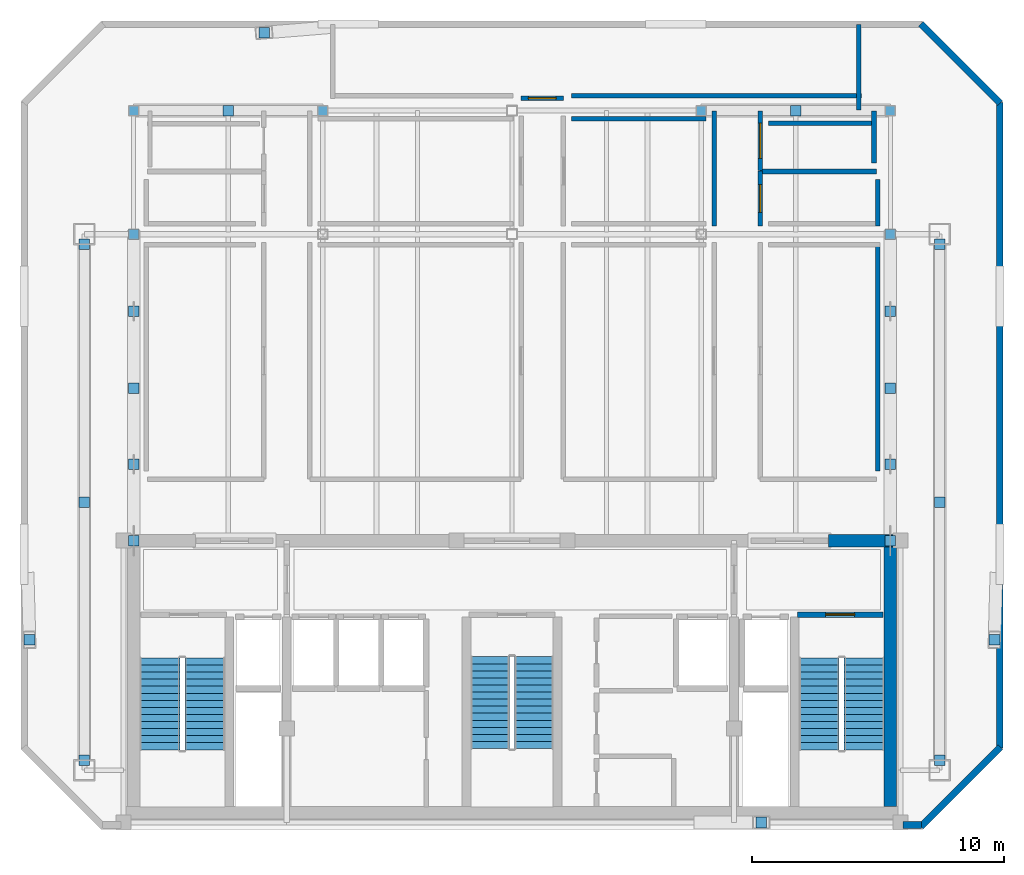
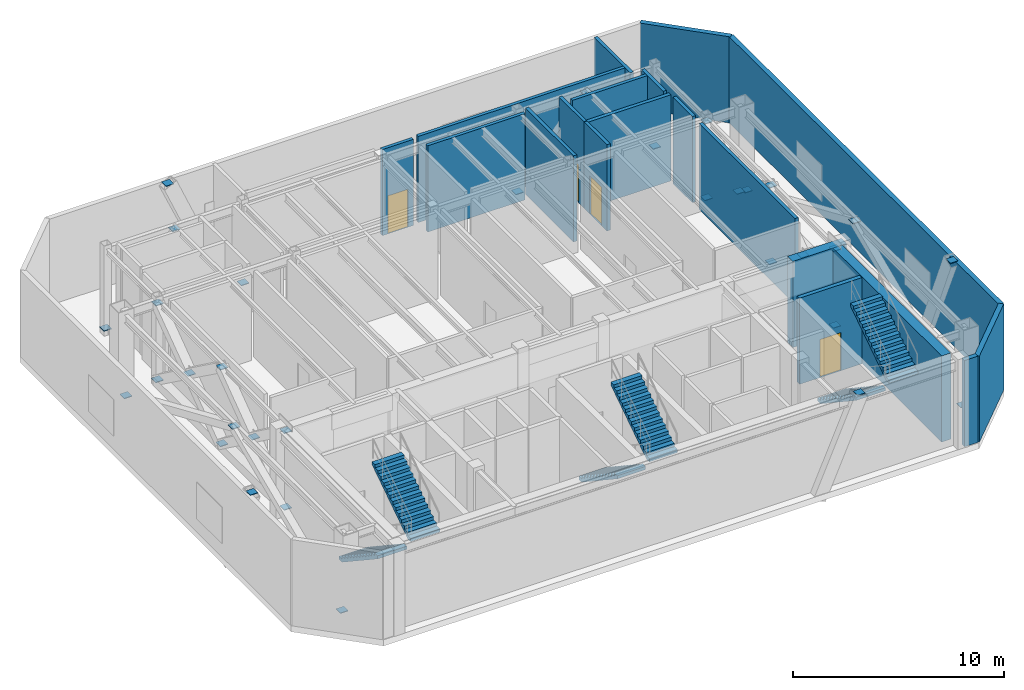
# One storey, part 5 of 7: 32 discrete accessories, 19 walls, 6 stair flights, 4 doors, 4 openings, 3 elements without a shape of their own.
"""IFC4 building model written with IfcOpenShell, lengths in metres."""

from ifc_helpers import new_model, si_unit, direction, frame, frame_2d, origin, origin_2d, place, context, subcontext, project, spatial, polyline, rectangle, outline, extrude, material, layer, layer_set, type_object, element, fill, aggregate, save


model = new_model("IFC4")

# Units and contexts
model_context = context("Model", 3, precision=1e-05, world=origin(), true_north=direction((0.0, 1.0)))
body_context = subcontext(model_context, "Body", "Model", "MODEL_VIEW")
ifc_project = project(units=[si_unit("LENGTHUNIT", "METRE"), si_unit("AREAUNIT", "SQUARE_METRE"), si_unit("VOLUMEUNIT", "CUBIC_METRE"), si_unit("PLANEANGLEUNIT", "RADIAN"), si_unit("MASSUNIT", "GRAM", prefix="KILO")], contexts=[model_context])

# Site, building, storey
site_placement = place(None, origin())
site = spatial("IfcSite", under=ifc_project, at=site_placement, CompositionType="ELEMENT")
building_placement = place(site_placement, origin())
building = spatial("IfcBuilding", under=site, at=building_placement, Name="Ventersveld Concourse Tower", CompositionType="ELEMENT")
storey_placement = place(building_placement, frame((0.0, 0.0, 332.300048828125)))
storey = spatial("IfcBuildingStorey", under=building, at=storey_placement, Name="L82", CompositionType="ELEMENT", Elevation=332.300048828125)

# Walls
ifc_material_1 = material(Name="Concrete C50/60", Category="concrete")
ifc_layer_1 = layer(ifc_material_1, 0.5)
ifc_layer_set_1 = layer_set([ifc_layer_1], Name="Concrete C50/60")
wall_type_1 = type_object("IfcWallType", Name="WL-CORE-500", PredefinedType="SHEAR", material=ifc_layer_set_1)
wall_1_placement = place(storey_placement, frame((43.75, 0.919921875, 0.0), z_axis=(0.0, 0.0, 1.0), x_axis=(0.0, 1.0, 0.0)))
element("IfcWall", 1, at=wall_1_placement, inside=storey, type_object=wall_type_1, Name="L82 Rear Core East Shear Wall", PredefinedType="SHEAR", context=body_context, shape_type="SweptSolid", body=[
    extrude(rectangle(XDim=10.530029296875, YDim=0.5, at=frame_2d((5.26513671875, 0.0))), origin(), (0.0, 0.0, 1.0), 4.97998046875),
])
wall_2_placement = place(storey_placement, frame((41.300048828125, 11.449951171875, 0.0), z_axis=(0.0, 0.0, 1.0), x_axis=(1.0, 0.0, 0.0)))
element("IfcWall", 2, at=wall_2_placement, inside=storey, type_object=wall_type_1, Name="L82 Rear Core North Shear Wall NE", PredefinedType="SHEAR", context=body_context, shape_type="SweptSolid", body=[
    extrude(rectangle(XDim=2.949951171875, YDim=0.5, at=frame_2d((1.47509765625, 0.0))), origin(), (0.0, 0.0, 1.0), 4.97998046875),
])
ifc_material_2 = material(Name="Fire-rated autoclaved aerated masonry blockwork", Category="masonry")
ifc_layer_2 = layer(ifc_material_2, 0.179931640625)
ifc_layer_set_2 = layer_set([ifc_layer_2], Name="Fire-rated autoclaved aerated masonry blockwork")
wall_type_2 = type_object("IfcWallType", Name="WL-CORR-180", PredefinedType="PARTITIONING", material=ifc_layer_set_2)
wall_3_placement = place(storey_placement, frame((36.760009765625, 23.925048828125, 0.0), z_axis=(0.0, 0.0, 1.0), x_axis=(0.0, 1.0, 0.0)))
element("IfcWall", 3, at=wall_3_placement, inside=storey, type_object=wall_type_2, Name="L82 Interior Partition SP-L82-PCOR-SP-L82-REF-6", PredefinedType="PARTITIONING", context=body_context, shape_type="SweptSolid", body=[
    extrude(rectangle(XDim=4.556884765625, YDim=0.179931640625, at=frame_2d((2.2783203125, 0.0))), origin(), (0.0, 0.0, 1.0), 4.97998046875),
])

# Wall, opening, door
wall_4_placement = place(storey_placement, frame((29.10498046875, 28.989990234375, 0.0), z_axis=(0.0, 0.0, 1.0), x_axis=(1.0, 0.0, 0.0)))
wall_4 = element("IfcWall", 4, at=wall_4_placement, inside=storey, type_object=wall_type_2, Name="L82 Interior Partition SP-L82-PCOR-SP-L82-REF-7", PredefinedType="PARTITIONING", context=body_context, shape_type="SweptSolid", body=[
    extrude(rectangle(XDim=1.68994140625, YDim=0.179931640625, at=frame_2d((0.844970703125, 0.0))), origin(), (0.0, 0.0, 1.0), 4.97998046875),
])
opening_1_placement = place(wall_4_placement, frame((0.294921875, 0.0, 0.0)))
opening_1 = element("IfcOpeningElement", 5, at=opening_1_placement, cuts=wall_4, Name="Opening FD2", PredefinedType="OPENING", context=body_context, shape_type="SweptSolid", body=[
    extrude(rectangle(XDim=1.10009765625, YDim=2.199951171875, at=frame_2d((0.550048828125, 1.10009765625))), frame((0.0, 0.10009765625, 0.0), z_axis=(0.0, -1.0, 0.0), x_axis=(1.0, 0.0, 0.0)), (0.0, 0.0, 1.0), 0.199951171875),
])
ifc_material_3 = material(Name="Galvanised painted steel", Category="steel")
door_type_1 = type_object("IfcDoorType", Name="DR-FFL-110", OperationType="NOTDEFINED", PredefinedType="DOOR", material=ifc_material_3)
door_1_placement = place(opening_1_placement, origin())
door_1 = element("IfcDoor", 6, at=door_1_placement, inside=storey, type_object=door_type_1, Name="L82 Interior Door SP-L82-PCOR to SP-L82-REF-7 (FD-L82-3723)", OperationType="SINGLE_SWING_LEFT", OverallHeight=2.199951171875, OverallWidth=1.10009765625, PredefinedType="DOOR", context=body_context, shape_type="SweptSolid", body=[
    extrude(rectangle(XDim=1.10009765625, YDim=2.199951171875, at=frame_2d((0.550048828125, 1.10009765625))), frame((0.0, 0.02490234375, 0.0), z_axis=(0.0, -1.0, 0.0), x_axis=(1.0, 0.0, 0.0)), (0.0, 0.0, 1.0), 0.050048828125),
])
fill(opening_1, door_1)

wall_5_placement = place(storey_placement, frame((38.590087890625, 23.925048828125, 0.0), z_axis=(0.0, 0.0, 1.0), x_axis=(0.0, 1.0, 0.0)))
wall_5 = element("IfcWall", 7, at=wall_5_placement, inside=storey, type_object=wall_type_2, Name="L82 Interior Partition SP-L82-PCOR-SP-L82-REF-10", PredefinedType="PARTITIONING", context=body_context, shape_type="SweptSolid", body=[
    extrude(rectangle(XDim=2.169921875, YDim=0.179931640625, at=frame_2d((1.0849609375, 0.0))), origin(), (0.0, 0.0, 1.0), 4.97998046875),
])
opening_2_placement = place(wall_5_placement, frame((0.534912109375, 0.0, 0.0)))
opening_2 = element("IfcOpeningElement", 8, at=opening_2_placement, cuts=wall_5, Name="Opening FD2", PredefinedType="OPENING", context=body_context, shape_type="SweptSolid", body=[
    extrude(rectangle(XDim=1.10009765625, YDim=2.199951171875, at=frame_2d((0.550048828125, 1.10009765625))), frame((0.0, 0.10009765625, 0.0), z_axis=(0.0, -1.0, 0.0), x_axis=(1.0, 0.0, 0.0)), (0.0, 0.0, 1.0), 0.199951171875),
])
door_2_placement = place(opening_2_placement, origin())
door_2 = element("IfcDoor", 9, at=door_2_placement, inside=storey, type_object=door_type_1, Name="L82 Interior Door SP-L82-PCOR to SP-L82-REF-10 (FD-L82-3725)", OperationType="SINGLE_SWING_LEFT", OverallHeight=2.199951171875, OverallWidth=1.10009765625, PredefinedType="DOOR", context=body_context, shape_type="SweptSolid", body=[
    extrude(rectangle(XDim=1.10009765625, YDim=2.199951171875, at=frame_2d((0.550048828125, 1.10009765625))), frame((0.0, 0.02490234375, 0.0), z_axis=(0.0, -1.0, 0.0), x_axis=(1.0, 0.0, 0.0)), (0.0, 0.0, 1.0), 0.050048828125),
])
fill(opening_2, door_2)

wall_6_placement = place(storey_placement, frame((38.590087890625, 26.125, 0.0), z_axis=(0.0, 0.0, 1.0), x_axis=(0.0, 1.0, 0.0)))
wall_6 = element("IfcWall", 10, at=wall_6_placement, inside=storey, type_object=wall_type_2, Name="L82 Interior Partition SP-L82-PCOR-SP-L82-PLT-CHL", PredefinedType="PARTITIONING", context=body_context, shape_type="SweptSolid", body=[
    extrude(rectangle(XDim=2.35693359375, YDim=0.179931640625, at=frame_2d((1.178466796875, 0.0))), origin(), (0.0, 0.0, 1.0), 4.97998046875),
])
opening_3_placement = place(wall_6_placement, frame((0.478515625, 0.0, 0.0)))
opening_3 = element("IfcOpeningElement", 11, at=opening_3_placement, cuts=wall_6, Name="Opening FD4", PredefinedType="OPENING", context=body_context, shape_type="SweptSolid", body=[
    extrude(rectangle(XDim=1.39990234375, YDim=2.199951171875, at=frame_2d((0.699951171875, 1.10009765625))), frame((0.0, 0.10009765625, 0.0), z_axis=(0.0, -1.0, 0.0), x_axis=(1.0, 0.0, 0.0)), (0.0, 0.0, 1.0), 0.199951171875),
])
door_type_2 = type_object("IfcDoorType", Name="DR-PLANT-140", OperationType="DOUBLE_DOOR_SINGLE_SWING", PredefinedType="DOOR", material=ifc_material_3)
door_3_placement = place(opening_3_placement, origin())
door_3 = element("IfcDoor", 12, at=door_3_placement, inside=storey, type_object=door_type_2, Name="L82 Interior Door SP-L82-PCOR to SP-L82-PLT-CHL (FD-L82-3727)", OperationType="DOUBLE_DOOR_SINGLE_SWING", OverallHeight=2.199951171875, OverallWidth=1.39990234375, PredefinedType="DOOR", context=body_context, shape_type="SweptSolid", body=[
    extrude(rectangle(XDim=1.39990234375, YDim=2.199951171875, at=frame_2d((0.699951171875, 1.10009765625))), frame((0.0, 0.02490234375, 0.0), z_axis=(0.0, -1.0, 0.0), x_axis=(1.0, 0.0, 0.0)), (0.0, 0.0, 1.0), 0.050048828125),
])
fill(opening_3, door_3)

# Walls
wall_7_placement = place(storey_placement, frame((43.25, 14.2109375, 0.0), z_axis=(0.0, 0.0, 1.0), x_axis=(0.0, 1.0, 0.0)))
element("IfcWall", 13, at=wall_7_placement, inside=storey, type_object=wall_type_2, Name="L82 Room Enclosure Wall SP-L82-REF-4", PredefinedType="PARTITIONING", context=body_context, shape_type="SweptSolid", body=[
    extrude(rectangle(XDim=9.06396484375, YDim=0.179931640625, at=frame_2d((4.531982421875, 0.0))), origin(), (0.0, 0.0, 1.0), 4.97998046875),
])
wall_8_placement = place(storey_placement, frame((36.43505859375, 28.179931640625, 0.0), z_axis=(0.0, 0.0, 1.0), x_axis=(-1.0, 0.0, 0.0)))
element("IfcWall", 14, at=wall_8_placement, inside=storey, type_object=wall_type_2, Name="L82 Room Enclosure Wall SP-L82-REF-6", PredefinedType="PARTITIONING", context=body_context, shape_type="SweptSolid", body=[
    extrude(rectangle(XDim=5.320068359375, YDim=0.179931640625, at=frame_2d((2.66015625, 0.0))), origin(), (0.0, 0.0, 1.0), 4.97998046875),
])
wall_9_placement = place(storey_placement, frame((31.10986328125, 29.080078125, 0.0), z_axis=(0.0, 0.0, 1.0), x_axis=(1.0, 0.0, 0.0)))
element("IfcWall", 15, at=wall_9_placement, inside=storey, type_object=wall_type_2, Name="L82 Room Enclosure Wall SP-L82-REF-7", PredefinedType="PARTITIONING", context=body_context, shape_type="SweptSolid", body=[
    extrude(rectangle(XDim=11.485107421875, YDim=0.179931640625, at=frame_2d((5.74267578125, 0.0))), origin(), (0.0, 0.0, 1.0), 4.97998046875),
])
wall_10_placement = place(storey_placement, frame((42.5, 28.51806640625, 0.0), z_axis=(0.0, 0.0, 1.0), x_axis=(0.0, 1.0, 0.0)))
element("IfcWall", 16, at=wall_10_placement, inside=storey, type_object=wall_type_2, Name="L82 Room Enclosure Wall SP-L82-REF-7", PredefinedType="PARTITIONING", context=body_context, shape_type="SweptSolid", body=[
    extrude(rectangle(XDim=3.391845703125, YDim=0.179931640625, at=frame_2d((1.69580078125, 0.0))), origin(), (0.0, 0.0, 1.0), 4.97998046875),
])
wall_11_placement = place(storey_placement, frame((43.25, 23.925048828125, 0.0), z_axis=(0.0, 0.0, 1.0), x_axis=(0.0, 1.0, 0.0)))
element("IfcWall", 17, at=wall_11_placement, inside=storey, type_object=wall_type_2, Name="L82 Room Enclosure Wall SP-L82-REF-10", PredefinedType="PARTITIONING", context=body_context, shape_type="SweptSolid", body=[
    extrude(rectangle(XDim=1.843994140625, YDim=0.179931640625, at=frame_2d((0.921875, 0.0))), origin(), (0.0, 0.0, 1.0), 4.97998046875),
])
wall_12_placement = place(storey_placement, frame((43.10009765625, 26.4150390625, 0.0), z_axis=(0.0, 0.0, 1.0), x_axis=(0.0, 1.0, 0.0)))
element("IfcWall", 18, at=wall_12_placement, inside=storey, type_object=wall_type_2, Name="L82 Room Enclosure Wall SP-L82-PLT-CHL", PredefinedType="PARTITIONING", context=body_context, shape_type="SweptSolid", body=[
    extrude(rectangle(XDim=2.06689453125, YDim=0.179931640625, at=frame_2d((1.033447265625, 0.0))), origin(), (0.0, 0.0, 1.0), 4.97998046875),
])
wall_13_placement = place(storey_placement, frame((43.195068359375, 28.0, 0.0), z_axis=(0.0, 0.0, 1.0), x_axis=(-1.0, 0.0, 0.0)))
element("IfcWall", 19, at=wall_13_placement, inside=storey, type_object=wall_type_2, Name="L82 Room Enclosure Wall SP-L82-PLT-CHL", PredefinedType="PARTITIONING", context=body_context, shape_type="SweptSolid", body=[
    extrude(rectangle(XDim=4.280029296875, YDim=0.179931640625, at=frame_2d((2.14013671875, 0.0))), origin(), (0.0, 0.0, 1.0), 4.97998046875),
])
ifc_layer_3 = layer(ifc_material_2, 0.199951171875)
ifc_layer_set_3 = layer_set([ifc_layer_3], Name="Fire-rated autoclaved aerated masonry blockwork")
wall_type_3 = type_object("IfcWallType", Name="WL-DEMISE-200", PredefinedType="PARTITIONING", material=ifc_layer_set_3)
wall_14_placement = place(storey_placement, frame((38.5849609375, 26.090087890625, 0.0), z_axis=(0.0, 0.0, 1.0), x_axis=(1.0, 0.0, 0.0)))
element("IfcWall", 20, at=wall_14_placement, inside=storey, type_object=wall_type_3, Name="L82 Interior Partition SP-L82-REF-10-SP-L82-PLT-CHL", PredefinedType="PARTITIONING", context=body_context, shape_type="SweptSolid", body=[
    extrude(rectangle(XDim=4.610107421875, YDim=0.199951171875, at=frame_2d((2.30517578125, 0.0))), origin(), (0.0, 0.0, 1.0), 4.97998046875),
])

# Wall, opening, door
ifc_layer_4 = layer(ifc_material_2, 0.219970703125)
ifc_layer_set_4 = layer_set([ifc_layer_4], Name="Fire-rated autoclaved aerated masonry blockwork")
wall_type_4 = type_object("IfcWallType", Name="WL-HOIST-220", PredefinedType="SOLIDWALL", material=ifc_layer_set_4)
wall_15_placement = place(storey_placement, frame((40.06005859375, 8.52001953125, 0.0), z_axis=(0.0, 0.0, 1.0), x_axis=(1.0, 0.0, 0.0)))
wall_15 = element("IfcWall", 21, at=wall_15_placement, inside=storey, type_object=wall_type_4, Name="L82 Escape Stair ST02 Fire Wall", PredefinedType="SOLIDWALL", context=body_context, shape_type="SweptSolid", body=[
    extrude(rectangle(XDim=3.39990234375, YDim=0.219970703125, at=frame_2d((1.699951171875, 0.0))), origin(), (0.0, 0.0, 1.0), 4.97998046875),
])
opening_4_placement = place(wall_15_placement, frame((1.125, 0.0, 0.0)))
opening_4 = element("IfcOpeningElement", 22, at=opening_4_placement, cuts=wall_15, Name="Opening FD1", PredefinedType="OPENING", context=body_context, shape_type="SweptSolid", body=[
    extrude(rectangle(XDim=1.14990234375, YDim=2.199951171875, at=frame_2d((0.574951171875, 1.10009765625))), frame((0.0, 0.1201171875, 0.0), z_axis=(0.0, -1.0, 0.0), x_axis=(1.0, 0.0, 0.0)), (0.0, 0.0, 1.0), 0.239990234375),
])
door_type_3 = type_object("IfcDoorType", Name="DR-STAIR-115", OperationType="NOTDEFINED", PredefinedType="DOOR", material=ifc_material_3)
door_4_placement = place(opening_4_placement, origin())
door_4 = element("IfcDoor", 23, at=door_4_placement, inside=storey, type_object=door_type_3, Name="L82 Escape Stair Door ST02 (SD-L82-3706)", OperationType="SINGLE_SWING_RIGHT", OverallHeight=2.199951171875, OverallWidth=1.14990234375, PredefinedType="DOOR", context=body_context, shape_type="SweptSolid", body=[
    extrude(rectangle(XDim=1.14990234375, YDim=2.199951171875, at=frame_2d((0.574951171875, 1.10009765625))), frame((0.0, 0.02490234375, 0.0), z_axis=(0.0, -1.0, 0.0), x_axis=(1.0, 0.0, 0.0)), (0.0, 0.0, 1.0), 0.050048828125),
])
fill(opening_4, door_4)

# Walls
ifc_material_4 = material(Name="Precast concrete C45/55", Category="concrete")
ifc_layer_5 = layer(ifc_material_4, 0.260009765625)
ifc_layer_set_5 = layer_set([ifc_layer_5], Name="Precast concrete C45/55")
wall_type_5 = type_object("IfcWallType", Name="WL-PREC-260", PredefinedType="SOLIDWALL", material=ifc_layer_set_5)
wall_16_placement = place(storey_placement, frame((44.25, 0.179931640625, 0.0), z_axis=(0.0, 0.0, 1.0), x_axis=(1.0, 0.0, 0.0)))
element("IfcWall", 24, at=wall_16_placement, inside=storey, type_object=wall_type_5, Name="L82 South-East Flank Precast Wall", PredefinedType="SOLIDWALL", context=body_context, shape_type="SweptSolid", body=[
    extrude(rectangle(XDim=0.732666015625, YDim=0.260009765625, at=frame_2d((0.3662109375, 0.0))), origin(), (0.0, 0.0, 1.0), 4.97998046875),
])
wall_17_placement = place(storey_placement, frame((44.958984375, 0.1201171875, 0.0), z_axis=(0.0, 0.0, 1.0), x_axis=(0.707106781187, 0.707106781187, 0.0)))
element("IfcWall", 25, at=wall_17_placement, inside=storey, type_object=wall_type_5, Name="L82 Highveld Precast Facade Wall E02", PredefinedType="SOLIDWALL", context=body_context, shape_type="SweptSolid", body=[
    extrude(rectangle(XDim=4.445556640625, YDim=0.260009765625, at=frame_2d((2.22265625, 0.0))), origin(), (0.0, 0.0, 1.0), 4.97998046875),
])
wall_18_placement = place(storey_placement, frame((48.0927734375, 3.239990234375, 0.0), z_axis=(0.0, 0.0, 1.0), x_axis=(0.0, 1.0, 0.0)))
element("IfcWall", 26, at=wall_18_placement, inside=storey, type_object=wall_type_5, Name="L82 Highveld Precast Facade Wall E03", PredefinedType="SOLIDWALL", context=body_context, shape_type="SweptSolid", body=[
    extrude(rectangle(XDim=25.579345703125, YDim=0.260009765625, at=frame_2d((12.78955078125, 0.0))), origin(), (0.0, 0.0, 1.0), 4.97998046875),
])
wall_19_placement = place(storey_placement, frame((48.1025390625, 28.7958984375, 0.0), z_axis=(0.0, 0.0, 1.0), x_axis=(-0.707134240044, 0.707079321262, 0.0)))
element("IfcWall", 27, at=wall_19_placement, inside=storey, type_object=wall_type_5, Name="L82 Highveld Precast Facade Wall E04", PredefinedType="SOLIDWALL", context=body_context, shape_type="SweptSolid", body=[
    extrude(rectangle(XDim=4.445556640625, YDim=0.260009765625, at=frame_2d((2.22265625, 0.0))), origin(), (0.0, 0.0, 1.0), 4.97998046875),
])

# Stair, stair flights
stair_type_1 = type_object("IfcStairType", Name="ST-DOG-155", PredefinedType="HALF_TURN_STAIR", material=ifc_material_1)
stair_1_placement = place(storey_placement, origin())
stair_1 = element("IfcStair", 28, at=stair_1_placement, inside=storey, type_object=stair_type_1, Name="L82 Protected Central Core Escape Stair ST-03", PredefinedType="HALF_TURN_STAIR")
stair_flight_type_1 = type_object("IfcStairFlightType", Name="STF-RC-155", PredefinedType="STRAIGHT", material=ifc_material_1)
stair_flight_1_placement = place(storey_placement, frame((27.875, 6.85009765625, 0.0), z_axis=(0.0, 0.0, 1.0), x_axis=(0.0, -1.0, 0.0)))
stair_flight_1 = element("IfcStairFlight", 29, at=stair_flight_1_placement, type_object=stair_flight_type_1, Name="ST-03 flight 1", NumberOfRisers=14, NumberOfTreads=13, PredefinedType="STRAIGHT", RiserHeight=0.185714286, TreadLength=0.28, context=body_context, shape_type="SweptSolid", body=[
    extrude(outline(polyline([(0.0, 0.0), (0.0, 0.185791015625), (0.280029296875, 0.185791015625), (0.280029296875, 0.371337890625), (0.56005859375, 0.371337890625), (0.56005859375, 0.55712890625), (0.840087890625, 0.55712890625), (0.840087890625, 0.742919921875), (1.1201171875, 0.742919921875), (1.1201171875, 0.928466796875), (1.39990234375, 0.928466796875), (1.39990234375, 1.1142578125), (1.679931640625, 1.1142578125), (1.679931640625, 1.300048828125), (1.9599609375, 1.300048828125), (1.9599609375, 1.485595703125), (2.239990234375, 1.485595703125), (2.239990234375, 1.67138671875), (2.52001953125, 1.67138671875), (2.52001953125, 1.857177734375), (2.800048828125, 1.857177734375), (2.800048828125, 2.04296875), (3.080078125, 2.04296875), (3.080078125, 2.228515625), (3.360107421875, 2.228515625), (3.360107421875, 2.414306640625), (3.639892578125, 2.414306640625), (3.639892578125, 2.60009765625), (3.639892578125, 2.234375), (0.271240234375, 0.0), (0.0, 0.0)])), frame((0.0, 0.77490234375, 0.0), z_axis=(0.0, -1.0, 0.0), x_axis=(1.0, 0.0, 0.0)), (0.0, 0.0, 1.0), 1.550048828125),
])
stair_flight_2_placement = place(storey_placement, frame((29.625, 3.2099609375, 2.599853515625), z_axis=(0.0, 0.0, 1.0), x_axis=(0.0, 1.0, 0.0)))
stair_flight_2 = element("IfcStairFlight", 30, at=stair_flight_2_placement, type_object=stair_flight_type_1, Name="ST-03 flight 2", NumberOfRisers=14, NumberOfTreads=13, PredefinedType="STRAIGHT", RiserHeight=0.185714286, TreadLength=0.28, context=body_context, shape_type="SweptSolid", body=[
    extrude(outline(polyline([(0.0, 0.0), (0.0, 0.185791015625), (0.280029296875, 0.185791015625), (0.280029296875, 0.371337890625), (0.56005859375, 0.371337890625), (0.56005859375, 0.55712890625), (0.840087890625, 0.55712890625), (0.840087890625, 0.742919921875), (1.1201171875, 0.742919921875), (1.1201171875, 0.928466796875), (1.39990234375, 0.928466796875), (1.39990234375, 1.1142578125), (1.679931640625, 1.1142578125), (1.679931640625, 1.300048828125), (1.9599609375, 1.300048828125), (1.9599609375, 1.485595703125), (2.239990234375, 1.485595703125), (2.239990234375, 1.67138671875), (2.52001953125, 1.67138671875), (2.52001953125, 1.857177734375), (2.800048828125, 1.857177734375), (2.800048828125, 2.04296875), (3.080078125, 2.04296875), (3.080078125, 2.228515625), (3.360107421875, 2.228515625), (3.360107421875, 2.414306640625), (3.639892578125, 2.414306640625), (3.639892578125, 2.60009765625), (3.639892578125, 2.234375), (0.271240234375, 0.0), (0.0, 0.0)])), frame((0.0, 0.77490234375, 0.0), z_axis=(0.0, -1.0, 0.0), x_axis=(1.0, 0.0, 0.0)), (0.0, 0.0, 1.0), 1.550048828125),
])
aggregate(stair_1, [stair_flight_1, stair_flight_2])

stair_type_2 = type_object("IfcStairType", Name="ST-DOG-160", PredefinedType="HALF_TURN_STAIR", material=ifc_material_1)
stair_2_placement = place(storey_placement, origin())
stair_2 = element("IfcStair", 31, at=stair_2_placement, inside=storey, type_object=stair_type_2, Name="L82 Protected Tower Escape Stair ST-01", PredefinedType="HALF_TURN_STAIR")
stair_flight_type_2 = type_object("IfcStairFlightType", Name="STF-RC-160", PredefinedType="STRAIGHT", material=ifc_material_1)
stair_flight_3_placement = place(storey_placement, frame((14.780029296875, 6.800048828125, 0.0), z_axis=(0.0, 0.0, 1.0), x_axis=(0.0, -1.0, 0.0)))
stair_flight_3 = element("IfcStairFlight", 32, at=stair_flight_3_placement, type_object=stair_flight_type_2, Name="ST-01 flight 1", NumberOfRisers=14, NumberOfTreads=13, PredefinedType="STRAIGHT", RiserHeight=0.185714286, TreadLength=0.28, context=body_context, shape_type="SweptSolid", body=[
    extrude(outline(polyline([(0.0, 0.0), (0.0, 0.185791015625), (0.280029296875, 0.185791015625), (0.280029296875, 0.371337890625), (0.56005859375, 0.371337890625), (0.56005859375, 0.55712890625), (0.840087890625, 0.55712890625), (0.840087890625, 0.742919921875), (1.1201171875, 0.742919921875), (1.1201171875, 0.928466796875), (1.39990234375, 0.928466796875), (1.39990234375, 1.1142578125), (1.679931640625, 1.1142578125), (1.679931640625, 1.300048828125), (1.9599609375, 1.300048828125), (1.9599609375, 1.485595703125), (2.239990234375, 1.485595703125), (2.239990234375, 1.67138671875), (2.52001953125, 1.67138671875), (2.52001953125, 1.857177734375), (2.800048828125, 1.857177734375), (2.800048828125, 2.04296875), (3.080078125, 2.04296875), (3.080078125, 2.228515625), (3.360107421875, 2.228515625), (3.360107421875, 2.414306640625), (3.639892578125, 2.414306640625), (3.639892578125, 2.60009765625), (3.639892578125, 2.234375), (0.271240234375, 0.0), (0.0, 0.0)])), frame((0.0, 0.800048828125, 0.0), z_axis=(0.0, -1.0, 0.0), x_axis=(1.0, 0.0, 0.0)), (0.0, 0.0, 1.0), 1.60009765625),
])
stair_flight_4_placement = place(storey_placement, frame((16.580078125, 3.159912109375, 2.599853515625), z_axis=(0.0, 0.0, 1.0), x_axis=(0.0, 1.0, 0.0)))
stair_flight_4 = element("IfcStairFlight", 33, at=stair_flight_4_placement, type_object=stair_flight_type_2, Name="ST-01 flight 2", NumberOfRisers=14, NumberOfTreads=13, PredefinedType="STRAIGHT", RiserHeight=0.185714286, TreadLength=0.28, context=body_context, shape_type="SweptSolid", body=[
    extrude(outline(polyline([(0.0, 0.0), (0.0, 0.185791015625), (0.280029296875, 0.185791015625), (0.280029296875, 0.371337890625), (0.56005859375, 0.371337890625), (0.56005859375, 0.55712890625), (0.840087890625, 0.55712890625), (0.840087890625, 0.742919921875), (1.1201171875, 0.742919921875), (1.1201171875, 0.928466796875), (1.39990234375, 0.928466796875), (1.39990234375, 1.1142578125), (1.679931640625, 1.1142578125), (1.679931640625, 1.300048828125), (1.9599609375, 1.300048828125), (1.9599609375, 1.485595703125), (2.239990234375, 1.485595703125), (2.239990234375, 1.67138671875), (2.52001953125, 1.67138671875), (2.52001953125, 1.857177734375), (2.800048828125, 1.857177734375), (2.800048828125, 2.04296875), (3.080078125, 2.04296875), (3.080078125, 2.228515625), (3.360107421875, 2.228515625), (3.360107421875, 2.414306640625), (3.639892578125, 2.414306640625), (3.639892578125, 2.60009765625), (3.639892578125, 2.234375), (0.271240234375, 0.0), (0.0, 0.0)])), frame((0.0, 0.800048828125, 0.0), z_axis=(0.0, -1.0, 0.0), x_axis=(1.0, 0.0, 0.0)), (0.0, 0.0, 1.0), 1.60009765625),
])
aggregate(stair_2, [stair_flight_3, stair_flight_4])

stair_3_placement = place(storey_placement, origin())
stair_3 = element("IfcStair", 34, at=stair_3_placement, inside=storey, type_object=stair_type_2, Name="L82 Protected Tower Escape Stair ST-02", PredefinedType="HALF_TURN_STAIR")
stair_flight_5_placement = place(storey_placement, frame((40.919921875, 6.800048828125, 0.0), z_axis=(0.0, 0.0, 1.0), x_axis=(0.0, -1.0, 0.0)))
stair_flight_5 = element("IfcStairFlight", 35, at=stair_flight_5_placement, type_object=stair_flight_type_2, Name="ST-02 flight 1", NumberOfRisers=14, NumberOfTreads=13, PredefinedType="STRAIGHT", RiserHeight=0.185714286, TreadLength=0.28, context=body_context, shape_type="SweptSolid", body=[
    extrude(outline(polyline([(0.0, 0.0), (0.0, 0.185791015625), (0.280029296875, 0.185791015625), (0.280029296875, 0.371337890625), (0.56005859375, 0.371337890625), (0.56005859375, 0.55712890625), (0.840087890625, 0.55712890625), (0.840087890625, 0.742919921875), (1.1201171875, 0.742919921875), (1.1201171875, 0.928466796875), (1.39990234375, 0.928466796875), (1.39990234375, 1.1142578125), (1.679931640625, 1.1142578125), (1.679931640625, 1.300048828125), (1.9599609375, 1.300048828125), (1.9599609375, 1.485595703125), (2.239990234375, 1.485595703125), (2.239990234375, 1.67138671875), (2.52001953125, 1.67138671875), (2.52001953125, 1.857177734375), (2.800048828125, 1.857177734375), (2.800048828125, 2.04296875), (3.080078125, 2.04296875), (3.080078125, 2.228515625), (3.360107421875, 2.228515625), (3.360107421875, 2.414306640625), (3.639892578125, 2.414306640625), (3.639892578125, 2.60009765625), (3.639892578125, 2.234375), (0.271240234375, 0.0), (0.0, 0.0)])), frame((0.0, 0.800048828125, 0.0), z_axis=(0.0, -1.0, 0.0), x_axis=(1.0, 0.0, 0.0)), (0.0, 0.0, 1.0), 1.60009765625),
])
stair_flight_6_placement = place(storey_placement, frame((42.719970703125, 3.159912109375, 2.599853515625), z_axis=(0.0, 0.0, 1.0), x_axis=(0.0, 1.0, 0.0)))
stair_flight_6 = element("IfcStairFlight", 36, at=stair_flight_6_placement, type_object=stair_flight_type_2, Name="ST-02 flight 2", NumberOfRisers=14, NumberOfTreads=13, PredefinedType="STRAIGHT", RiserHeight=0.185714286, TreadLength=0.28, context=body_context, shape_type="SweptSolid", body=[
    extrude(outline(polyline([(0.0, 0.0), (0.0, 0.185791015625), (0.280029296875, 0.185791015625), (0.280029296875, 0.371337890625), (0.56005859375, 0.371337890625), (0.56005859375, 0.55712890625), (0.840087890625, 0.55712890625), (0.840087890625, 0.742919921875), (1.1201171875, 0.742919921875), (1.1201171875, 0.928466796875), (1.39990234375, 0.928466796875), (1.39990234375, 1.1142578125), (1.679931640625, 1.1142578125), (1.679931640625, 1.300048828125), (1.9599609375, 1.300048828125), (1.9599609375, 1.485595703125), (2.239990234375, 1.485595703125), (2.239990234375, 1.67138671875), (2.52001953125, 1.67138671875), (2.52001953125, 1.857177734375), (2.800048828125, 1.857177734375), (2.800048828125, 2.04296875), (3.080078125, 2.04296875), (3.080078125, 2.228515625), (3.360107421875, 2.228515625), (3.360107421875, 2.414306640625), (3.639892578125, 2.414306640625), (3.639892578125, 2.60009765625), (3.639892578125, 2.234375), (0.271240234375, 0.0), (0.0, 0.0)])), frame((0.0, 0.800048828125, 0.0), z_axis=(0.0, -1.0, 0.0), x_axis=(1.0, 0.0, 0.0)), (0.0, 0.0, 1.0), 1.60009765625),
])
aggregate(stair_3, [stair_flight_5, stair_flight_6])

# Discrete accessories
ifc_material_5 = material(Name="Structural steel S355J2", Category="steel")
discrete_accessory_type = type_object("IfcDiscreteAccessoryType", Name="CONN-BRACE-ECP1", PredefinedType="BRACKET", material=ifc_material_5)
for number, where, z_axis, x_axis, name in (
    (37, (13.75, 11.449951171875, 0.280029296875), (0.0, 0.0, 1.0), (1.0, 0.0, 0.0), "L82 Steel Brace End Connection Plate ECP1-0111"),
    (38, (13.75, 17.5, 4.7099609375), (0.0, 0.0, 1.0), (1.0, 0.0, 0.0), "L82 Steel Brace End Connection Plate ECP1-0112"),
    (39, (13.75, 11.449951171875, 4.7099609375), (0.0, 0.0, 1.0), (1.0, 0.0, 0.0), "L82 Steel Brace End Connection Plate ECP1-0113"),
    (40, (13.75, 14.47509765625, 2.494873046875), (0.0, 0.0, 1.0), (1.0, 0.0, 0.0), "L82 Steel Brace End Connection Plate ECP1-0114"),
    (41, (13.75, 17.5, 0.280029296875), (0.0, 0.0, 1.0), (1.0, 0.0, 0.0), "L82 Steel Brace End Connection Plate ECP1-0115"),
    (42, (13.75, 23.60009765625, 0.280029296875), (0.0, 0.0, 1.0), (1.0, 0.0, 0.0), "L82 Steel Brace End Connection Plate ECP1-0116"),
    (43, (13.75, 20.550048828125, 2.494873046875), (0.0, 0.0, 1.0), (1.0, 0.0, 0.0), "L82 Steel Brace End Connection Plate ECP1-0117"),
    (44, (13.75, 23.60009765625, 4.7099609375), (0.0, 0.0, 1.0), (1.0, 0.0, 0.0), "L82 Steel Brace End Connection Plate ECP1-0118"),
    (45, (43.75, 11.449951171875, 0.280029296875), (0.0, 0.0, 1.0), (1.0, 0.0, 0.0), "L82 Steel Brace End Connection Plate ECP1-0119"),
    (46, (43.75, 17.5, 4.7099609375), (0.0, 0.0, 1.0), (1.0, 0.0, 0.0), "L82 Steel Brace End Connection Plate ECP1-0120"),
    (47, (43.75, 11.449951171875, 4.7099609375), (0.0, 0.0, 1.0), (1.0, 0.0, 0.0), "L82 Steel Brace End Connection Plate ECP1-0121"),
    (48, (43.75, 14.47509765625, 2.494873046875), (0.0, 0.0, 1.0), (1.0, 0.0, 0.0), "L82 Steel Brace End Connection Plate ECP1-0122"),
    (49, (43.75, 17.5, 0.280029296875), (0.0, 0.0, 1.0), (1.0, 0.0, 0.0), "L82 Steel Brace End Connection Plate ECP1-0123"),
    (50, (43.75, 23.60009765625, 0.280029296875), (0.0, 0.0, 1.0), (1.0, 0.0, 0.0), "L82 Steel Brace End Connection Plate ECP1-0124"),
    (51, (43.75, 20.550048828125, 2.494873046875), (0.0, 0.0, 1.0), (1.0, 0.0, 0.0), "L82 Steel Brace End Connection Plate ECP1-0125"),
    (52, (43.75, 23.60009765625, 4.7099609375), (0.0, 0.0, 1.0), (1.0, 0.0, 0.0), "L82 Steel Brace End Connection Plate ECP1-0126"),
    (53, (13.75, 28.5, 0.280029296875), (0.0, 0.0, 1.0), (1.0, 0.0, 0.0), "L82 Steel Brace End Connection Plate ECP1-0127"),
    (54, (17.5, 28.5, 4.7099609375), (0.0, 0.0, 1.0), (1.0, 0.0, 0.0), "L82 Steel Brace End Connection Plate ECP1-0128"),
    (55, (21.25, 28.5, 0.280029296875), (0.0, 0.0, 1.0), (1.0, 0.0, 0.0), "L82 Steel Brace End Connection Plate ECP1-0129"),
    (56, (36.25, 28.5, 0.280029296875), (0.0, 0.0, 1.0), (1.0, 0.0, 0.0), "L82 Steel Brace End Connection Plate ECP1-0130"),
    (57, (40.0, 28.5, 4.7099609375), (0.0, 0.0, 1.0), (1.0, 0.0, 0.0), "L82 Steel Brace End Connection Plate ECP1-0131"),
    (58, (43.75, 28.5, 0.280029296875), (0.0, 0.0, 1.0), (1.0, 0.0, 0.0), "L82 Steel Brace End Connection Plate ECP1-0132"),
    (59, (11.800048828125, 2.75, 0.280029296875), (0.0, 0.0, 1.0), (1.0, 0.0, 0.0), "L82 Steel Brace End Connection Plate ECP1-0133"),
    (60, (11.800048828125, 12.97509765625, 4.7099609375), (0.0, 0.0, 1.0), (1.0, 0.0, 0.0), "L82 Steel Brace End Connection Plate ECP1-0134"),
    (61, (11.800048828125, 23.199951171875, 0.280029296875), (0.0, 0.0, 1.0), (1.0, 0.0, 0.0), "L82 Steel Brace End Connection Plate ECP1-0135"),
    (62, (45.699951171875, 2.75, 0.280029296875), (0.0, 0.0, 1.0), (1.0, 0.0, 0.0), "L82 Steel Brace End Connection Plate ECP1-0136"),
    (63, (45.699951171875, 12.97509765625, 4.7099609375), (0.0, 0.0, 1.0), (1.0, 0.0, 0.0), "L82 Steel Brace End Connection Plate ECP1-0137"),
    (64, (45.699951171875, 23.199951171875, 0.280029296875), (0.0, 0.0, 1.0), (1.0, 0.0, 0.0), "L82 Steel Brace End Connection Plate ECP1-0138"),
    (65, (18.921630859375, 31.587890625, 4.9599609375), (0.0, 0.0, 1.0), (1.0, 0.0, 0.0), "L82 Steel Brace End Connection Plate ECP1-0516"),
    (66, (38.62841796875, 0.280029296875, 4.9599609375), (0.0, 0.0, 1.0), (1.0, 0.0, 0.0), "L82 Steel Brace End Connection Plate ECP1-0520"),
    (67, (9.62353515625, 7.521484375, 4.9599609375), (0.0, 0.0, 1.0), (1.0, 0.0, 0.0), "L82 Steel Brace End Connection Plate ECP1-0524"),
    (68, (47.87646484375, 7.521484375, 4.9599609375), (0.0, 0.0, 1.0), (1.0, 0.0, 0.0), "L82 Steel Brace End Connection Plate ECP1-0528"),
):
    element("IfcDiscreteAccessory", number, at=place(storey_placement, frame(where, z_axis=z_axis, x_axis=x_axis)), inside=storey, type_object=discrete_accessory_type, Name=name, PredefinedType="BRACKET", context=body_context, shape_type="SweptSolid", body=[
        extrude(rectangle(XDim=0.419921875, YDim=0.419921875, at=origin_2d()), origin(), (0.0, 0.0, 1.0), 0.0400390625),
    ])

save(model, "model.ifc")
